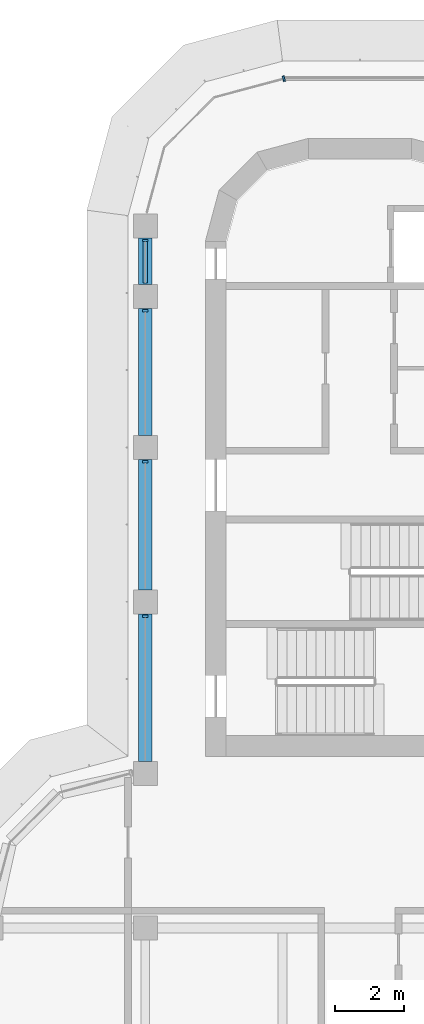
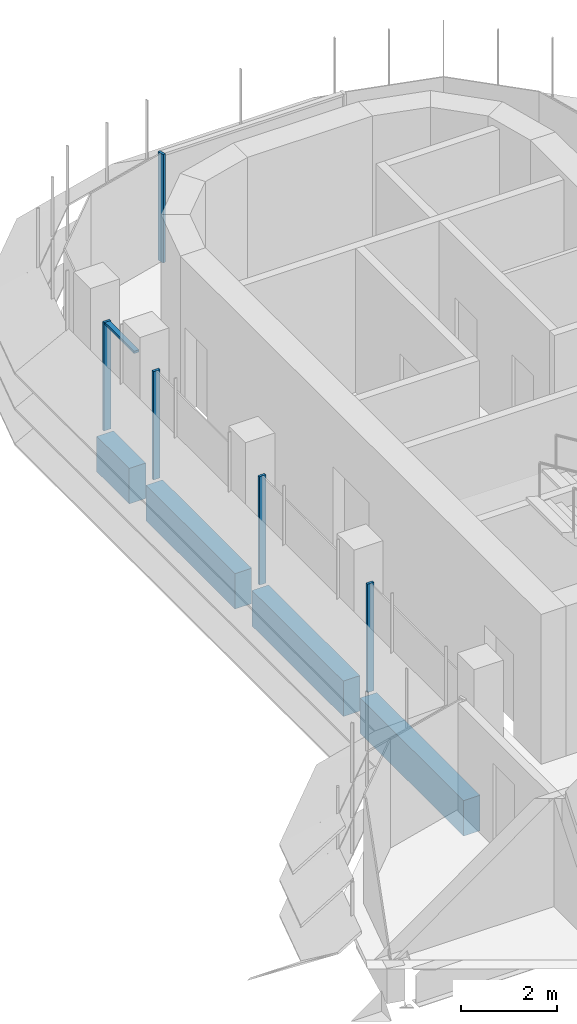
# One storey, part 7 of 18: 6 members, 4 beams, 2 elements without a shape of their own.
"""IFC4 building model written with IfcOpenShell, lengths in metres."""

import ifcopenshell
import ifcopenshell.guid

model = None  # the IFC model being written
_history = None  # IfcOwnerHistory: only IFC2X3 demands one
_inside = {}  # id of a spatial element -> (the spatial element, [elements in it])
_under = {}  # id of a project, library or spatial element -> (it, [spatial elements below it])
_declared = {}  # id of a project -> (the project, [libraries it declares])
_typed = {}  # id of a type object -> (the type object, [elements of that type])
_made_of = {}  # id of a material, layer set ... -> (it, [elements and type objects made of it])


def new_model(schema):
    """Start an empty IFC model of exactly this schema.

    Asked for "IFC4X3", IfcOpenShell would pick the latest addendum, in which some entities
    have other attributes; the version numbers below select the first issue.
    IFC2X3 requires an IfcOwnerHistory on every rooted entity: one is made here for all.
    """
    global model, _history
    if schema == "IFC4X3":
        model = ifcopenshell.file(schema_version=(4, 3, 0, 0))
    else:
        model = ifcopenshell.file(schema=schema)
    _inside.clear()
    _under.clear()
    _declared.clear()
    _typed.clear()
    _made_of.clear()
    _history = None
    if model.schema == "IFC2X3":
        org = make("IfcOrganization", Name="unknown")
        user = make(
            "IfcPersonAndOrganization",
            ThePerson=make("IfcPerson", FamilyName="unknown"),
            TheOrganization=org,
        )
        app = make(
            "IfcApplication",
            ApplicationDeveloper=org,
            Version="unknown",
            ApplicationFullName="unknown",
            ApplicationIdentifier="unknown",
        )
        _history = make(
            "IfcOwnerHistory",
            OwningUser=user,
            OwningApplication=app,
            ChangeAction="ADDED",
            CreationDate=0,
        )
    return model


def make(cls, **values):
    """One entity of the class cls with the attributes given. An attribute that is None is left unset."""
    return model.create_entity(
        cls, **{name: value for name, value in values.items() if value is not None}
    )


def rooted(cls, **values):
    """An entity with a GlobalId (a new one), such as an element, a storey or a relation."""
    return make(cls, GlobalId=ifcopenshell.guid.new(), OwnerHistory=_history, **values)


def si_unit(unit_type, name, prefix=None):
    """IfcSIUnit, for example si_unit("LENGTHUNIT", "METRE", prefix="MILLI")."""
    return make("IfcSIUnit", UnitType=unit_type, Prefix=prefix, Name=name)


def assignment(units):
    """IfcUnitAssignment: the units of a project."""
    return None if units is None else make("IfcUnitAssignment", Units=units)


def point(xyz):
    """IfcCartesianPoint."""
    return None if xyz is None else make("IfcCartesianPoint", Coordinates=xyz)


def direction(xyz):
    """IfcDirection."""
    return None if xyz is None else make("IfcDirection", DirectionRatios=xyz)


def frame(location, z_axis=None, x_axis=None):
    """IfcAxis2Placement3D, a coordinate frame: its origin and axes. An axis left out is left unset."""
    return make(
        "IfcAxis2Placement3D",
        Location=point(location),
        Axis=direction(z_axis),
        RefDirection=direction(x_axis),
    )


def frame_2d(location, x_axis=None):
    """IfcAxis2Placement2D, a coordinate frame in the plane: its origin and x axis."""
    return make(
        "IfcAxis2Placement2D", Location=point(location), RefDirection=direction(x_axis)
    )


def origin():
    """The frame at (0, 0, 0) with its axes left unset."""
    return frame((0.0, 0.0, 0.0))


def origin_2d():
    """The frame at (0, 0) in the plane with its x axis left unset."""
    return frame_2d((0.0, 0.0))


def place(relative_to, where):
    """IfcLocalPlacement: puts the frame where relative to a parent placement (None: the world)."""
    return make(
        "IfcLocalPlacement", PlacementRelTo=relative_to, RelativePlacement=where
    )


def context(
    kind, dimensions, precision=None, world=None, true_north=None, identifier=None
):
    """IfcGeometricRepresentationContext, for example the 3D "Model" context."""
    return make(
        "IfcGeometricRepresentationContext",
        ContextIdentifier=identifier,
        ContextType=kind,
        CoordinateSpaceDimension=dimensions,
        Precision=precision,
        WorldCoordinateSystem=world,
        TrueNorth=true_north,
    )


def subcontext(parent, identifier, kind, view, scale=None):
    """IfcGeometricRepresentationSubContext, for example "Body" below "Model"."""
    return make(
        "IfcGeometricRepresentationSubContext",
        ContextIdentifier=identifier,
        ContextType=kind,
        ParentContext=parent,
        TargetScale=scale,
        TargetView=view,
    )


def project(units=None, contexts=None):
    """IfcProject with its units and contexts."""
    return rooted(
        "IfcProject",
        Name="project",
        RepresentationContexts=contexts,
        UnitsInContext=assignment(units),
    )


def spatial(cls, under=None, at=None, **own):
    """A site, building, storey or space (cls), placed at a placement, below another one or the project."""
    s = rooted(cls, ObjectPlacement=at, **own)
    if under is not None:
        _under.setdefault(under.id(), (under, []))[1].append(s)
    return s


def polyline(points):
    """IfcPolyline through the points."""
    return make("IfcPolyline", Points=[point(p) for p in points])


def profile(cls, at=None, kind="AREA", **sizes):
    """A parametric profile (cls). Its sizes go by their IFC names, for example OverallWidth=200.0."""
    return make(cls, ProfileType=kind, Position=at, **sizes)


def rectangle(**sizes):
    """IfcRectangleProfileDef."""
    return profile("IfcRectangleProfileDef", **sizes)


def outline(outer, holes=None, kind="AREA"):
    """IfcArbitraryClosedProfileDef: a profile drawn as a closed curve; with holes, ...WithVoids."""
    if holes is None:
        return make("IfcArbitraryClosedProfileDef", ProfileType=kind, OuterCurve=outer)
    return make(
        "IfcArbitraryProfileDefWithVoids",
        ProfileType=kind,
        OuterCurve=outer,
        InnerCurves=holes,
    )


def extrude(swept, where, along, depth):
    """IfcExtrudedAreaSolid: the profile swept, set in the frame where, extruded along a direction by depth."""
    return make(
        "IfcExtrudedAreaSolid",
        SweptArea=swept,
        Position=where,
        ExtrudedDirection=direction(along),
        Depth=depth,
    )


def shape(context_of_items, identifier, shape_type, items):
    """IfcShapeRepresentation: the items that make up one representation, for example the "Body"."""
    return make(
        "IfcShapeRepresentation",
        ContextOfItems=context_of_items,
        RepresentationIdentifier=identifier,
        RepresentationType=shape_type,
        Items=items,
    )


def source(mapping_origin, context_of_items, identifier, shape_type, items):
    """IfcRepresentationMap: a shape defined once, which mapped items show again and again."""
    return make(
        "IfcRepresentationMap",
        MappingOrigin=mapping_origin,
        MappedRepresentation=shape(context_of_items, identifier, shape_type, items),
    )


def transform(
    local_origin,
    x_axis=None,
    y_axis=None,
    z_axis=None,
    scale=None,
    scale2=None,
    scale3=None,
    uniform=True,
):
    """IfcCartesianTransformationOperator3D, or its non-uniform kind. x_axis, y_axis, z_axis: its Axis1, 2, 3."""
    if uniform:
        return make(
            "IfcCartesianTransformationOperator3D",
            Axis1=direction(x_axis),
            Axis2=direction(y_axis),
            LocalOrigin=point(local_origin),
            Scale=scale,
            Axis3=direction(z_axis),
        )
    return make(
        "IfcCartesianTransformationOperator3DnonUniform",
        Axis1=direction(x_axis),
        Axis2=direction(y_axis),
        LocalOrigin=point(local_origin),
        Scale=scale,
        Axis3=direction(z_axis),
        Scale2=scale2,
        Scale3=scale3,
    )


def mapped(mapping_source, mapping_target):
    """IfcMappedItem: shows the shape of a source again, moved by a transform."""
    return make(
        "IfcMappedItem", MappingSource=mapping_source, MappingTarget=mapping_target
    )


def material(Name=None, Category=None):
    """IfcMaterial."""
    return make("IfcMaterial", Name=Name, Category=Category)


def material_profile(
    of_material, cross_section, Name=None, Category=None, Priority=None
):
    """IfcMaterialProfile: a cross section and its material."""
    return make(
        "IfcMaterialProfile",
        Name=Name,
        Material=of_material,
        Profile=cross_section,
        Priority=Priority,
        Category=Category,
    )


def profile_set(profiles, Name=None, composite=None):
    """IfcMaterialProfileSet."""
    return make(
        "IfcMaterialProfileSet",
        Name=Name,
        MaterialProfiles=profiles,
        CompositeProfile=composite,
    )


def made_of(thing, what):
    """Note that an element or type object is made of a material, layer set ...; save() writes the relation."""
    if what is not None:
        _made_of.setdefault(what.id(), (what, []))[1].append(thing)
    return thing


def type_object(cls, material=None, **own):
    """A type object (cls), such as IfcWallType, which elements share."""
    return made_of(rooted(cls, **own), material)


def element(
    cls,
    number,
    at=None,
    inside=None,
    cuts=None,
    type_object=None,
    material=None,
    context=None,
    identifier="Body",
    shape_type=None,
    held_by="IfcProductDefinitionShape",
    body=None,
    shapes=None,
    **own,
):
    """One element of the class cls, such as IfcWall. Its Tag is "e" and its number.

    at: its placement. inside: the storey or other place that contains it. cuts: it is an
    opening in that element (IfcRelVoidsElement). A single representation is given by context,
    identifier, shape_type and body (its items); several are given by shapes. held_by: the class
    of the entity that holds the representations. save() writes the other relations.
    """
    e = rooted(cls, Tag="e%d" % number, ObjectPlacement=at, **own)
    if body is not None:
        shapes = [shape(context, identifier, shape_type, body)]
    if shapes is not None:
        e.Representation = make(held_by, Representations=shapes)
    if inside is not None:
        _inside.setdefault(inside.id(), (inside, []))[1].append(e)
    if cuts is not None:
        rooted(
            "IfcRelVoidsElement", RelatingBuildingElement=cuts, RelatedOpeningElement=e
        )
    if type_object is not None:
        _typed.setdefault(type_object.id(), (type_object, []))[1].append(e)
    return made_of(e, material)


def aggregate(whole, parts):
    """IfcRelAggregates: a whole, such as a stair, and the parts it consists of."""
    return rooted("IfcRelAggregates", RelatingObject=whole, RelatedObjects=parts)


def save(model, path):
    """Write the relations noted so far, then the file.

    IfcRelAggregates (storeys below a building ...), IfcRelContainedInSpatialStructure (elements
    in a storey), IfcRelDefinesByType, IfcRelAssociatesMaterial and IfcRelDeclares: one each for
    every whole, place, type object, material and project.
    """
    for whole, parts in _under.values():
        aggregate(whole, parts)
    for where, things in _inside.values():
        rooted(
            "IfcRelContainedInSpatialStructure",
            RelatedElements=things,
            RelatingStructure=where,
        )
    for kind, things in _typed.values():
        rooted("IfcRelDefinesByType", RelatedObjects=things, RelatingType=kind)
    for what, things in _made_of.values():
        rooted("IfcRelAssociatesMaterial", RelatedObjects=things, RelatingMaterial=what)
    for by, libraries in _declared.values():
        rooted("IfcRelDeclares", RelatingContext=by, RelatedDefinitions=libraries)
    model.write(path)


model = new_model("IFC4")

# Units and contexts
model_context = context("Model", 3, precision=1e-05, world=origin(), true_north=direction((0.0, 1.0)))
body_context = subcontext(model_context, "Body", "Model", "MODEL_VIEW")
ifc_project = project(units=[si_unit("LENGTHUNIT", "METRE"), si_unit("AREAUNIT", "SQUARE_METRE"), si_unit("VOLUMEUNIT", "CUBIC_METRE"), si_unit("PLANEANGLEUNIT", "RADIAN"), si_unit("MASSUNIT", "GRAM", prefix="KILO")], contexts=[model_context])

# Site, building, storey
site_placement = place(None, origin())
site = spatial("IfcSite", under=ifc_project, at=site_placement, CompositionType="ELEMENT")
building_placement = place(site_placement, origin())
building = spatial("IfcBuilding", under=site, at=building_placement, Name="Zarbagh Exchange Tower", CompositionType="ELEMENT")
storey_placement = place(building_placement, frame((0.0, 0.0, 214.39990234375)))
storey = spatial("IfcBuildingStorey", under=building, at=storey_placement, Name="L52", CompositionType="ELEMENT", Elevation=214.39990234375)

# Beams
ifc_material_1 = material(Name="Concrete C50/60", Category="concrete")
ifc_material_profile = material_profile(ifc_material_1, rectangle(XDim=0.39990234375, YDim=0.89990234375, at=origin_2d()), Name="RC spandrel beam 400 x 900 C50/60")
ifc_profile_set = profile_set([ifc_material_profile], Name="Concrete C50/60")
beam_type = type_object("IfcBeamType", Name="RC spandrel beam 400 x 900 C50/60", PredefinedType="SPANDREL", material=ifc_profile_set)
beam_1_placement = place(storey_placement, frame((-6.25, 11.10009765625, -0.599853515625), z_axis=(0.0, 1.0, 0.0), x_axis=(-1.0, 0.0, 0.0)))
element("IfcBeam", 1, at=beam_1_placement, inside=storey, type_object=beam_type, Name="RC spandrel beam", PredefinedType="SPANDREL", context=body_context, shape_type="SweptSolid", body=[
    extrude(rectangle(XDim=0.39990234375, YDim=0.89990234375, at=origin_2d()), origin(), (0.0, 0.0, 1.0), 4.2998046875),
])
beam_2_placement = place(storey_placement, frame((-6.25, 16.10009765625, -0.599853515625), z_axis=(0.0, 1.0, 0.0), x_axis=(-1.0, 0.0, 0.0)))
element("IfcBeam", 2, at=beam_2_placement, inside=storey, type_object=beam_type, Name="RC spandrel beam", PredefinedType="SPANDREL", context=body_context, shape_type="SweptSolid", body=[
    extrude(rectangle(XDim=0.39990234375, YDim=0.89990234375, at=origin_2d()), origin(), (0.0, 0.0, 1.0), 3.7998046875),
])
beam_3_placement = place(storey_placement, frame((-6.25, 20.60009765625, -0.599853515625), z_axis=(0.0, 1.0, 0.0), x_axis=(-1.0, 0.0, 0.0)))
element("IfcBeam", 3, at=beam_3_placement, inside=storey, type_object=beam_type, Name="RC spandrel beam", PredefinedType="SPANDREL", context=body_context, shape_type="SweptSolid", body=[
    extrude(rectangle(XDim=0.39990234375, YDim=0.89990234375, at=origin_2d()), origin(), (0.0, 0.0, 1.0), 3.699951171875),
])
beam_4_placement = place(storey_placement, frame((-6.25, 25.0, -0.599853515625), z_axis=(0.0, 1.0, 0.0), x_axis=(-1.0, 0.0, 0.0)))
element("IfcBeam", 4, at=beam_4_placement, inside=storey, type_object=beam_type, Name="RC spandrel beam", PredefinedType="SPANDREL", context=body_context, shape_type="SweptSolid", body=[
    extrude(rectangle(XDim=0.39990234375, YDim=0.89990234375, at=origin_2d()), origin(), (0.0, 0.0, 1.0), 1.35009765625),
])

# Curtain wall, member
ifc_material_2 = material(Name="Anodised aluminium frame and glazing", Category="aluminium")
curtain_wall_type = type_object("IfcCurtainWallType", Name="CWB Ribbon glazing, upper zones", PredefinedType="NOTDEFINED", material=ifc_material_2)
curtain_wall_1_placement = place(storey_placement, origin())
curtain_wall_1 = element("IfcCurtainWall", 5, at=curtain_wall_1_placement, inside=storey, type_object=curtain_wall_type, Name="CWB25 curtain wall", PredefinedType="NOTDEFINED")
ifc_material_3 = material(Name="Anodised aluminium frame", Category="aluminium")
member_type_1 = type_object("IfcMemberType", Name="MUB Mullion, anodised aluminium frame", PredefinedType="MULLION", material=ifc_material_3)
shared_shape_1 = source(origin(), body_context, "Body", "SweptSolid", [
    extrude(outline(polyline([(0.0, -0.080078125), (0.06005859375, -0.080078125), (0.06005859375, 0.080078125), (0.0, 0.080078125), (0.0, -0.080078125)])), origin(), (0.0, 0.0, 1.0), 2.75),
])
placement = place(storey_placement, origin())
member_1 = element("IfcMember", 6, at=placement, type_object=member_type_1, Name="CWB25 mullion 1.1", PredefinedType="MULLION", context=body_context, shape_type="MappedRepresentation", body=[
    mapped(shared_shape_1, transform((-2.18408203125, 31.0, 0.0), x_axis=(-0.965924289636, -0.258824779902, 0.0), y_axis=(0.258824779902, -0.965924289636, 0.0), z_axis=(0.0, 0.0, 1.0))),
])
aggregate(curtain_wall_1, [member_1])

# Curtain wall, members
curtain_wall_2_placement = place(storey_placement, origin())
curtain_wall_2 = element("IfcCurtainWall", 7, at=curtain_wall_2_placement, inside=storey, type_object=curtain_wall_type, Name="CWB28 curtain wall", PredefinedType="NOTDEFINED")
member_2 = element("IfcMember", 8, at=placement, type_object=member_type_1, Name="CWB28 mullion 1.1", PredefinedType="MULLION", context=body_context, shape_type="MappedRepresentation", body=[
    mapped(shared_shape_1, transform((-6.25, 26.31005859375, 0.0), x_axis=(0.0, -1.0, 0.0), y_axis=(1.0, 0.0, 0.0), z_axis=(0.0, 0.0, 1.0))),
])
member_3 = element("IfcMember", 9, at=placement, type_object=member_type_1, Name="CWB28 mullion 2.1", PredefinedType="MULLION", context=body_context, shape_type="MappedRepresentation", body=[
    mapped(shared_shape_1, transform((-6.25, 24.260009765625, 0.0), x_axis=(0.0, -1.0, 0.0), y_axis=(1.0, 0.0, 0.0), z_axis=(0.0, 0.0, 1.0))),
])
member_4 = element("IfcMember", 10, at=placement, type_object=member_type_1, Name="CWB28 mullion 3.1", PredefinedType="MULLION", context=body_context, shape_type="MappedRepresentation", body=[
    mapped(shared_shape_1, transform((-6.25, 19.85986328125, 0.0), x_axis=(0.0, -1.0, 0.0), y_axis=(1.0, 0.0, 0.0), z_axis=(0.0, 0.0, 1.0))),
])
member_5 = element("IfcMember", 11, at=placement, type_object=member_type_1, Name="CWB28 mullion 4.1", PredefinedType="MULLION", context=body_context, shape_type="MappedRepresentation", body=[
    mapped(shared_shape_1, transform((-6.25, 15.35986328125, 0.0), x_axis=(0.0, -1.0, 0.0), y_axis=(1.0, 0.0, 0.0), z_axis=(0.0, 0.0, 1.0))),
])
member_type_2 = type_object("IfcMemberType", Name="TRB Transom, anodised aluminium frame", PredefinedType="USERDEFINED", material=ifc_material_3)
shared_shape_2 = source(origin(), body_context, "Body", "SweptSolid", [
    extrude(outline(polyline([(-0.06005859375, -0.06005859375), (0.0, -0.06005859375), (0.0, 0.06005859375), (-0.06005859375, 0.06005859375), (-0.06005859375, -0.06005859375)])), origin(), (0.0, 0.0, 1.0), 1.2099609375),
])
member_6 = element("IfcMember", 12, at=placement, type_object=member_type_2, Name="CWB28 transom 1.1", ObjectType="TRANSOM", PredefinedType="USERDEFINED", context=body_context, shape_type="MappedRepresentation", body=[
    mapped(shared_shape_2, transform((-6.25, 26.25, 2.75), x_axis=(0.0, 0.0, 1.0), y_axis=(-1.0, 0.0, 0.0), z_axis=(0.0, -1.0, 0.0))),
])
aggregate(curtain_wall_2, [member_2, member_6, member_3, member_4, member_5])

save(model, "model.ifc")
